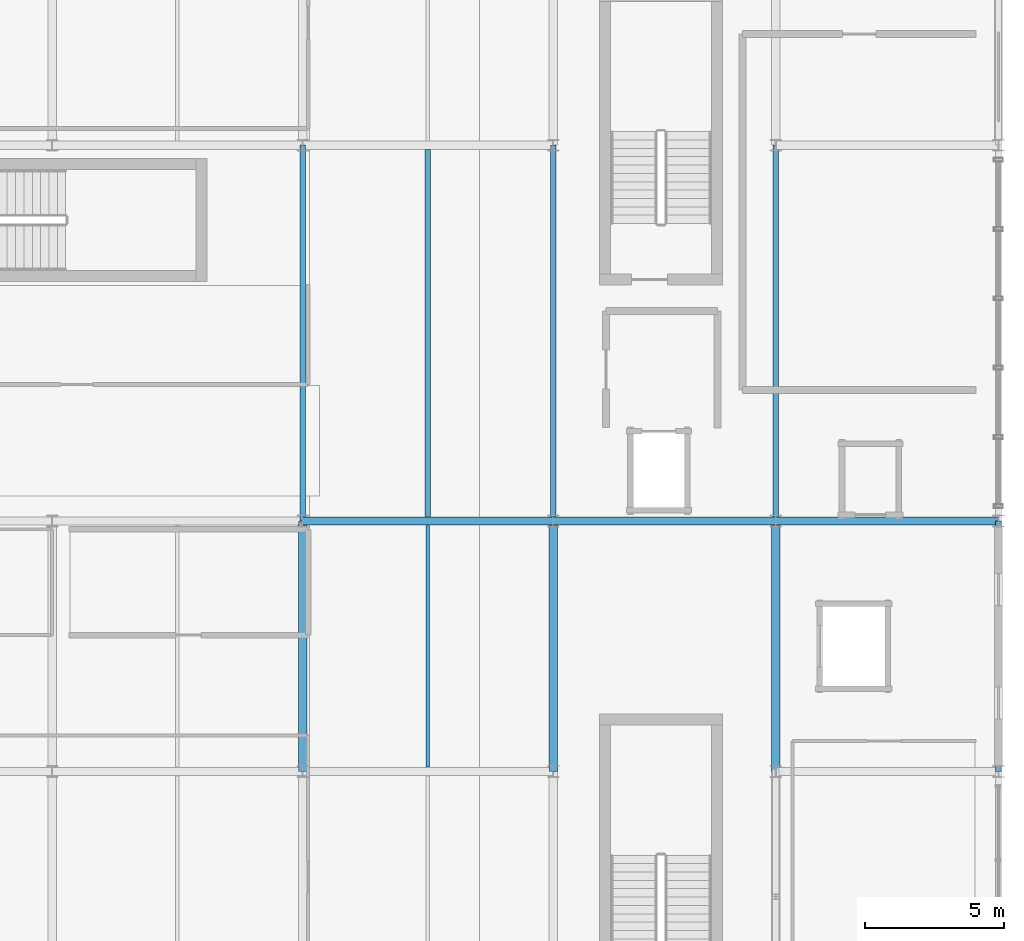
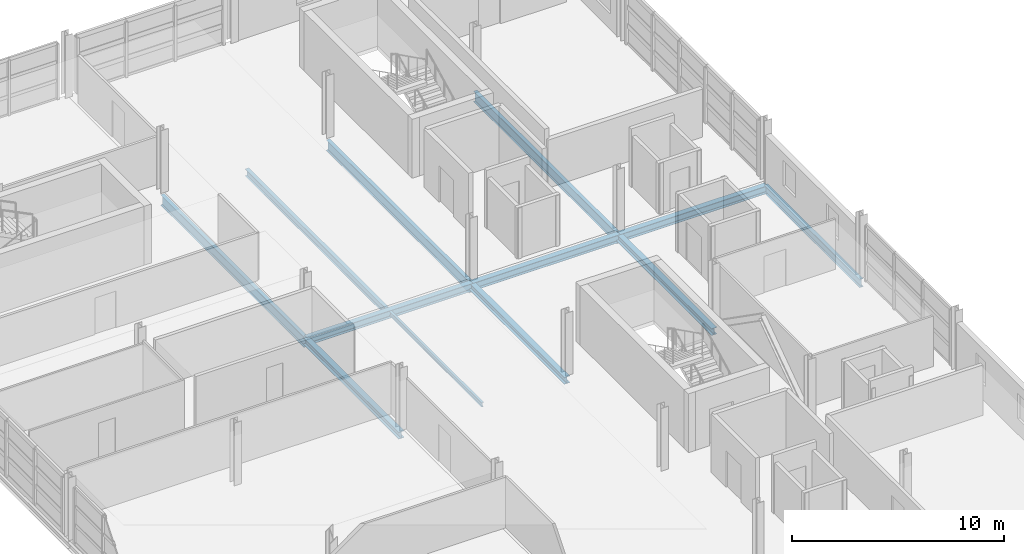
# One storey, part 79 of 116: 12 beams.
"""IFC4 building model written with IfcOpenShell, lengths in metres."""

from ifc_helpers import new_model, si_unit, direction, frame, origin, origin_2d, place, context, subcontext, project, spatial, i_section, extrude, material, material_profile, profile_set, type_object, element, save


model = new_model("IFC4")

# Units and contexts
model_context = context("Model", 3, precision=1e-05, world=origin(), true_north=direction((0.0, 1.0)))
body_context = subcontext(model_context, "Body", "Model", "MODEL_VIEW")
ifc_project = project(units=[si_unit("LENGTHUNIT", "METRE"), si_unit("AREAUNIT", "SQUARE_METRE"), si_unit("VOLUMEUNIT", "CUBIC_METRE"), si_unit("PLANEANGLEUNIT", "RADIAN"), si_unit("MASSUNIT", "GRAM", prefix="KILO")], contexts=[model_context])

# Site, building, storey
site_placement = place(None, origin())
site = spatial("IfcSite", under=ifc_project, at=site_placement, CompositionType="ELEMENT")
building_placement = place(site_placement, origin())
building = spatial("IfcBuilding", under=site, at=building_placement, Name="Chuanluo Vaults Station", CompositionType="ELEMENT")
storey_placement = place(building_placement, frame((0.0, 0.0, 10.800048828125)))
storey = spatial("IfcBuildingStorey", under=building, at=storey_placement, Name="L02", CompositionType="ELEMENT", Elevation=10.800048828125)

# Beams
ifc_material_1 = material(Name="Steel Q355C", Category="steel")
ifc_material_profile_1 = material_profile(ifc_material_1, i_section(OverallWidth=0.300048828125, OverallDepth=0.389892578125, WebThickness=0.010009765625, FlangeThickness=0.01611328125, FilletRadius=0.02001953125, at=origin_2d()))
ifc_profile_set_1 = profile_set([ifc_material_profile_1], Name="Steel Q355C")
beam_type_1 = type_object("IfcBeamType", Name="BM-GRD-400", PredefinedType="BEAM", material=ifc_profile_set_1)
for number, where, z_axis, x_axis, name in (
    (1, (163.0, 94.5, -0.4150390625), (0.0, 1.0, 0.0), (-1.0, 0.0, 0.0), "Floor girder BM:GY:L02:0672"),
    (2, (172.0, 94.5, -0.4150390625), (0.0, 1.0, 0.0), (-1.0, 0.0, 0.0), "Floor girder BM:GY:L02:0684"),
    (3, (180.0, 94.5, -0.4150390625), (0.0, 1.0, 0.0), (-1.0, 0.0, 0.0), "Floor girder BM:GY:L02:0696"),
):
    element("IfcBeam", number, at=place(storey_placement, frame(where, z_axis=z_axis, x_axis=x_axis)), inside=storey, type_object=beam_type_1, Name=name, PredefinedType="BEAM", context=body_context, shape_type="SweptSolid", body=[
        extrude(i_section(OverallWidth=0.300048828125, OverallDepth=0.389892578125, WebThickness=0.010009765625, FlangeThickness=0.01611328125, FilletRadius=0.02001953125, at=origin_2d()), origin(), (0.0, 0.0, 1.0), 9.0),
    ])
ifc_material_2 = material(Name="Steel Q355C", Category="steel")
ifc_material_profile_2 = material_profile(ifc_material_2, i_section(OverallWidth=0.300048828125, OverallDepth=0.43994140625, WebThickness=0.010986328125, FlangeThickness=0.01806640625, FilletRadius=0.02001953125, at=origin_2d()))
ifc_profile_set_2 = profile_set([ifc_material_profile_2], Name="Steel Q355C")
beam_type_2 = type_object("IfcBeamType", Name="BM-GRD-450", PredefinedType="USERDEFINED", material=ifc_profile_set_2)
beam_1_placement = place(storey_placement, frame((163.0, 103.5, -0.43994140625), z_axis=(1.0, 0.0, 0.0), x_axis=(0.0, 1.0, 0.0)))
element("IfcBeam", 4, at=beam_1_placement, inside=storey, type_object=beam_type_2, Name="Floor girder BM:GX:L02:0602", ObjectType="GIRDER", PredefinedType="USERDEFINED", context=body_context, shape_type="SweptSolid", body=[
    extrude(i_section(OverallWidth=0.300048828125, OverallDepth=0.43994140625, WebThickness=0.010986328125, FlangeThickness=0.01806640625, FilletRadius=0.02001953125, at=origin_2d()), origin(), (0.0, 0.0, 1.0), 9.0),
])
for number, where, z_axis, x_axis, name in (
    (5, (172.0, 103.5, -0.43994140625), (1.0, 0.0, 0.0), (0.0, 1.0, 0.0), "Floor girder BM:GX:L02:0603"),
    (6, (180.0, 103.5, -0.43994140625), (1.0, 0.0, 0.0), (0.0, 1.0, 0.0), "Floor girder BM:GX:L02:0604"),
):
    element("IfcBeam", number, at=place(storey_placement, frame(where, z_axis=z_axis, x_axis=x_axis)), inside=storey, type_object=beam_type_2, Name=name, ObjectType="GIRDER", PredefinedType="USERDEFINED", context=body_context, shape_type="SweptSolid", body=[
        extrude(i_section(OverallWidth=0.300048828125, OverallDepth=0.43994140625, WebThickness=0.010986328125, FlangeThickness=0.01806640625, FilletRadius=0.02001953125, at=origin_2d()), origin(), (0.0, 0.0, 1.0), 8.0),
    ])
ifc_material_3 = material(Name="Steel Q355C", Category="steel")
ifc_material_profile_3 = material_profile(ifc_material_3, i_section(OverallWidth=0.199951171875, OverallDepth=0.60009765625, WebThickness=0.010986328125, FlangeThickness=0.01708984375, FilletRadius=0.01806640625, at=origin_2d()))
ifc_profile_set_3 = profile_set([ifc_material_profile_3], Name="Steel Q355C")
beam_type_3 = type_object("IfcBeamType", Name="BM-GRD-600", PredefinedType="USERDEFINED", material=ifc_profile_set_3)
for number, where, z_axis, x_axis, name in (
    (7, (163.0, 103.5, -0.52001953125), (0.0, 1.0, 0.0), (-1.0, 0.0, 0.0), "Floor girder BM:GY:L02:0673"),
    (8, (172.0, 103.5, -0.52001953125), (0.0, 1.0, 0.0), (-1.0, 0.0, 0.0), "Floor girder BM:GY:L02:0685"),
    (9, (180.0, 103.5, -0.52001953125), (0.0, 1.0, 0.0), (-1.0, 0.0, 0.0), "Floor girder BM:GY:L02:0697"),
):
    element("IfcBeam", number, at=place(storey_placement, frame(where, z_axis=z_axis, x_axis=x_axis)), inside=storey, type_object=beam_type_3, Name=name, ObjectType="GIRDER", PredefinedType="USERDEFINED", context=body_context, shape_type="SweptSolid", body=[
        extrude(i_section(OverallWidth=0.199951171875, OverallDepth=0.60009765625, WebThickness=0.010986328125, FlangeThickness=0.01708984375, FilletRadius=0.01806640625, at=origin_2d()), origin(), (0.0, 0.0, 1.0), 13.5),
    ])
ifc_material_4 = material(Name="Steel Q355C", Category="steel")
ifc_material_profile_4 = material_profile(ifc_material_4, i_section(OverallWidth=0.125, OverallDepth=0.25, WebThickness=0.006103515625, FlangeThickness=0.009033203125, FilletRadius=0.011962890625, at=origin_2d()))
ifc_profile_set_4 = profile_set([ifc_material_profile_4], Name="Steel Q355C")
beam_type_4 = type_object("IfcBeamType", Name="BM-SEC-250", PredefinedType="JOIST", material=ifc_profile_set_4)
beam_2_placement = place(storey_placement, frame((167.5, 94.655029296875, -0.344970703125), z_axis=(0.0, 1.0, 0.0), x_axis=(-1.0, 0.0, 0.0)))
element("IfcBeam", 10, at=beam_2_placement, inside=storey, type_object=beam_type_4, Name="Composite secondary joist 0225", PredefinedType="JOIST", context=body_context, shape_type="SweptSolid", body=[
    extrude(i_section(OverallWidth=0.125, OverallDepth=0.25, WebThickness=0.006103515625, FlangeThickness=0.009033203125, FilletRadius=0.011962890625, at=origin_2d()), origin(), (0.0, 0.0, 1.0), 8.68994140625),
])
ifc_material_5 = material(Name="Steel Q355C", Category="steel")
ifc_material_profile_5 = material_profile(ifc_material_5, i_section(OverallWidth=0.199951171875, OverallDepth=0.39990234375, WebThickness=0.008056640625, FlangeThickness=0.012939453125, FilletRadius=0.01611328125, at=origin_2d()))
ifc_profile_set_5 = profile_set([ifc_material_profile_5], Name="Steel Q355C")
beam_type_5 = type_object("IfcBeamType", Name="BM-SEC-400", PredefinedType="BEAM", material=ifc_profile_set_5)
beam_3_placement = place(storey_placement, frame((167.5, 103.655029296875, -0.420166015625), z_axis=(0.0, 1.0, 0.0), x_axis=(-1.0, 0.0, 0.0)))
element("IfcBeam", 11, at=beam_3_placement, inside=storey, type_object=beam_type_5, Name="Composite secondary joist 0226", PredefinedType="BEAM", context=body_context, shape_type="SweptSolid", body=[
    extrude(i_section(OverallWidth=0.199951171875, OverallDepth=0.39990234375, WebThickness=0.008056640625, FlangeThickness=0.012939453125, FilletRadius=0.01611328125, at=origin_2d()), origin(), (0.0, 0.0, 1.0), 13.18994140625),
])
ifc_material_6 = material(Name="Steel Q355C", Category="steel")
ifc_material_profile_6 = material_profile(ifc_material_6, i_section(OverallWidth=0.205078125, OverallDepth=0.4599609375, WebThickness=0.009033203125, FlangeThickness=0.013916015625, FilletRadius=0.01611328125, at=origin_2d()))
ifc_profile_set_6 = profile_set([ifc_material_profile_6], Name="Steel Q355C")
beam_type_6 = type_object("IfcBeamType", Name="BM-SPN-450", PredefinedType="SPANDREL", material=ifc_profile_set_6)
beam_4_placement = place(storey_placement, frame((188.0, 94.5, -0.449951171875), z_axis=(0.0, 1.0, 0.0), x_axis=(-1.0, 0.0, 0.0)))
element("IfcBeam", 12, at=beam_4_placement, inside=storey, type_object=beam_type_6, Name="Floor girder BM:GY:L02:0708", PredefinedType="SPANDREL", context=body_context, shape_type="SweptSolid", body=[
    extrude(i_section(OverallWidth=0.205078125, OverallDepth=0.4599609375, WebThickness=0.009033203125, FlangeThickness=0.013916015625, FilletRadius=0.01611328125, at=origin_2d()), origin(), (0.0, 0.0, 1.0), 9.0),
])

save(model, "model.ifc")
